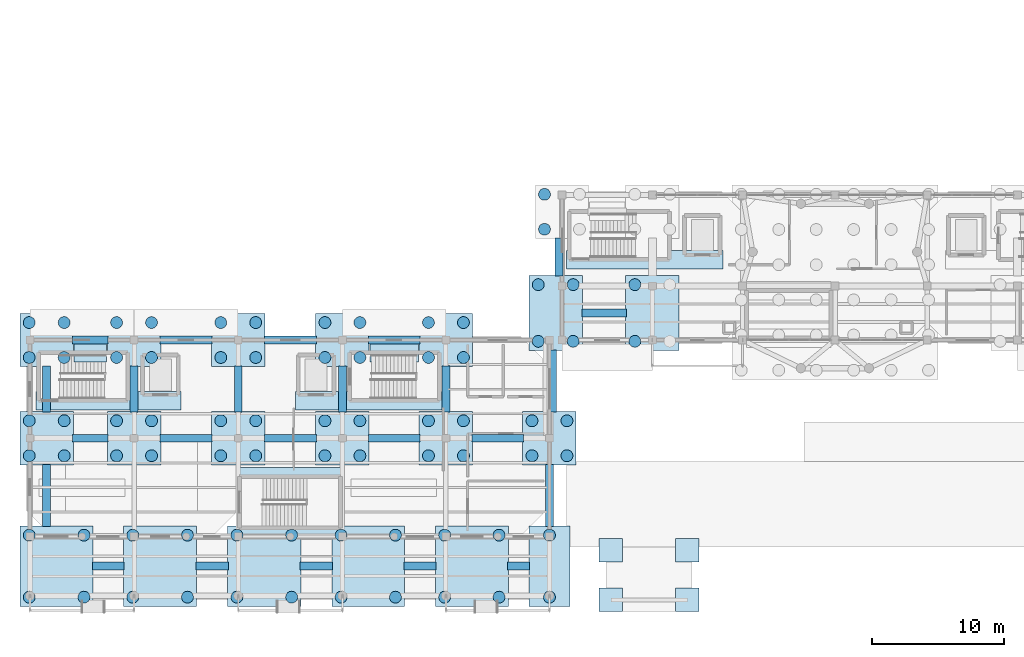
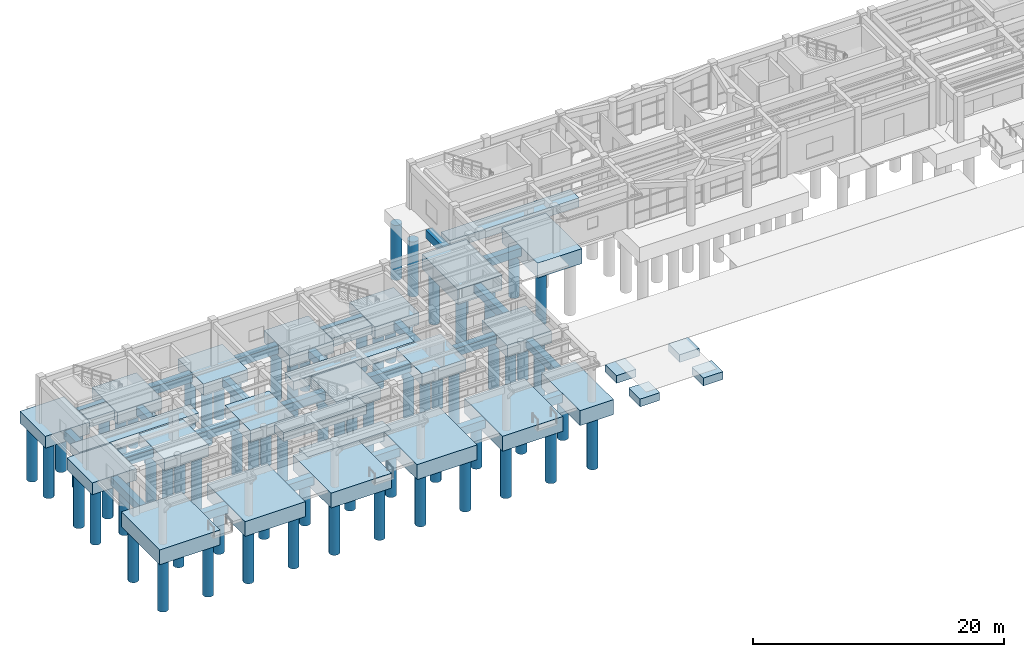
# One storey, part 1 of 41: 74 piles, 54 footings.
"""IFC4 building model written with IfcOpenShell, lengths in metres."""

from ifc_helpers import new_model, si_unit, direction, frame, origin, origin_2d, place, context, subcontext, project, spatial, rectangle, circle, extrude, material, material_profile, profile_set, type_object, element, save


model = new_model("IFC4")

# Units and contexts
model_context = context("Model", 3, precision=1e-05, world=origin(), true_north=direction((0.0, 1.0)))
body_context = subcontext(model_context, "Body", "Model", "MODEL_VIEW")
ifc_project = project(units=[si_unit("LENGTHUNIT", "METRE"), si_unit("AREAUNIT", "SQUARE_METRE"), si_unit("VOLUMEUNIT", "CUBIC_METRE"), si_unit("PLANEANGLEUNIT", "RADIAN"), si_unit("MASSUNIT", "GRAM", prefix="KILO")], contexts=[model_context])

# Site, building, storey
site_placement = place(None, origin())
site = spatial("IfcSite", under=ifc_project, at=site_placement, CompositionType="ELEMENT")
building_placement = place(site_placement, origin())
building = spatial("IfcBuilding", under=site, at=building_placement, Name="Candilejo Ridge Gondola Terminal", CompositionType="ELEMENT")
storey_placement = place(building_placement, origin())
storey = spatial("IfcBuildingStorey", under=building, at=storey_placement, Name="L00", CompositionType="ELEMENT", Elevation=0.0)

# Piles
ifc_material_1 = material(Name="Concrete f'c 28 MPa (C28/35)", Category="concrete")
ifc_material_profile = material_profile(ifc_material_1, circle(Radius=0.449951171875, at=origin_2d()))
ifc_profile_set = profile_set([ifc_material_profile], Name="Concrete f'c 28 MPa (C28/35)")
pile_type = type_object("IfcPileType", Name="STR-BORED-PILE-D900", PredefinedType="BORED", material=ifc_profile_set)
for number, where, z_axis, x_axis, name in (
    (1, (4.25, 6.199951171875, -1.35009765625), (0.0, 0.0, -1.0), (1.0, 0.0, 0.0), "Bored pile L00-001"),
    (2, (4.25, 10.89990234375, -1.35009765625), (0.0, 0.0, -1.0), (1.0, 0.0, 0.0), "Bored pile L00-002"),
    (3, (8.39990234375, 6.199951171875, -1.35009765625), (0.0, 0.0, -1.0), (1.0, 0.0, 0.0), "Bored pile L00-003"),
    (4, (8.39990234375, 10.89990234375, -1.35009765625), (0.0, 0.0, -1.0), (1.0, 0.0, 0.0), "Bored pile L00-004"),
):
    element("IfcPile", number, at=place(storey_placement, frame(where, z_axis=z_axis, x_axis=x_axis)), inside=storey, type_object=pile_type, Name=name, PredefinedType="BORED", context=body_context, shape_type="SweptSolid", body=[
        extrude(circle(Radius=0.449951171875, at=origin_2d()), origin(), (0.0, 0.0, 1.0), 5.050048828125),
    ])
for number, where, z_axis, x_axis, name in (
    (5, (4.25, 16.925048828125, -1.050048828125), (0.0, 0.0, -1.0), (1.0, 0.0, 0.0), "Bored pile L00-005"),
    (6, (4.25, 19.574951171875, -1.050048828125), (0.0, 0.0, -1.0), (1.0, 0.0, 0.0), "Bored pile L00-006"),
    (7, (6.89990234375, 16.925048828125, -1.050048828125), (0.0, 0.0, -1.0), (1.0, 0.0, 0.0), "Bored pile L00-007"),
    (8, (6.89990234375, 19.574951171875, -1.050048828125), (0.0, 0.0, -1.0), (1.0, 0.0, 0.0), "Bored pile L00-008"),
    (9, (4.25, 24.375, -1.050048828125), (0.0, 0.0, -1.0), (1.0, 0.0, 0.0), "Bored pile L00-009"),
    (10, (4.25, 27.02490234375, -1.050048828125), (0.0, 0.0, -1.0), (1.0, 0.0, 0.0), "Bored pile L00-010"),
    (11, (6.89990234375, 24.375, -1.050048828125), (0.0, 0.0, -1.0), (1.0, 0.0, 0.0), "Bored pile L00-011"),
    (12, (6.89990234375, 27.02490234375, -1.050048828125), (0.0, 0.0, -1.0), (1.0, 0.0, 0.0), "Bored pile L00-012"),
):
    element("IfcPile", number, at=place(storey_placement, frame(where, z_axis=z_axis, x_axis=x_axis)), inside=storey, type_object=pile_type, Name=name, PredefinedType="BORED", context=body_context, shape_type="SweptSolid", body=[
        extrude(circle(Radius=0.449951171875, at=origin_2d()), origin(), (0.0, 0.0, 1.0), 5.35009765625),
    ])
for number, where, z_axis, x_axis, name in (
    (13, (12.10009765625, 6.199951171875, -1.35009765625), (0.0, 0.0, -1.0), (1.0, 0.0, 0.0), "Bored pile L00-013"),
    (14, (12.10009765625, 10.89990234375, -1.35009765625), (0.0, 0.0, -1.0), (1.0, 0.0, 0.0), "Bored pile L00-014"),
    (15, (16.25, 6.199951171875, -1.35009765625), (0.0, 0.0, -1.0), (1.0, 0.0, 0.0), "Bored pile L00-015"),
    (16, (16.25, 10.89990234375, -1.35009765625), (0.0, 0.0, -1.0), (1.0, 0.0, 0.0), "Bored pile L00-016"),
):
    element("IfcPile", number, at=place(storey_placement, frame(where, z_axis=z_axis, x_axis=x_axis)), inside=storey, type_object=pile_type, Name=name, PredefinedType="BORED", context=body_context, shape_type="SweptSolid", body=[
        extrude(circle(Radius=0.449951171875, at=origin_2d()), origin(), (0.0, 0.0, 1.0), 5.050048828125),
    ])
for number, where, z_axis, x_axis, name in (
    (17, (10.875, 16.925048828125, -1.050048828125), (0.0, 0.0, -1.0), (1.0, 0.0, 0.0), "Bored pile L00-017"),
    (18, (10.875, 19.574951171875, -1.050048828125), (0.0, 0.0, -1.0), (1.0, 0.0, 0.0), "Bored pile L00-018"),
    (19, (13.52490234375, 16.925048828125, -1.050048828125), (0.0, 0.0, -1.0), (1.0, 0.0, 0.0), "Bored pile L00-019"),
    (20, (13.52490234375, 19.574951171875, -1.050048828125), (0.0, 0.0, -1.0), (1.0, 0.0, 0.0), "Bored pile L00-020"),
    (21, (10.875, 24.375, -1.050048828125), (0.0, 0.0, -1.0), (1.0, 0.0, 0.0), "Bored pile L00-021"),
    (22, (10.875, 27.02490234375, -1.050048828125), (0.0, 0.0, -1.0), (1.0, 0.0, 0.0), "Bored pile L00-022"),
    (23, (13.52490234375, 24.375, -1.050048828125), (0.0, 0.0, -1.0), (1.0, 0.0, 0.0), "Bored pile L00-023"),
    (24, (13.52490234375, 27.02490234375, -1.050048828125), (0.0, 0.0, -1.0), (1.0, 0.0, 0.0), "Bored pile L00-024"),
):
    element("IfcPile", number, at=place(storey_placement, frame(where, z_axis=z_axis, x_axis=x_axis)), inside=storey, type_object=pile_type, Name=name, PredefinedType="BORED", context=body_context, shape_type="SweptSolid", body=[
        extrude(circle(Radius=0.449951171875, at=origin_2d()), origin(), (0.0, 0.0, 1.0), 5.35009765625),
    ])
for number, where, z_axis, x_axis, name in (
    (25, (20.0, 6.199951171875, -1.35009765625), (0.0, 0.0, -1.0), (1.0, 0.0, 0.0), "Bored pile L00-025"),
    (26, (20.0, 10.89990234375, -1.35009765625), (0.0, 0.0, -1.0), (1.0, 0.0, 0.0), "Bored pile L00-026"),
    (27, (24.14990234375, 6.199951171875, -1.35009765625), (0.0, 0.0, -1.0), (1.0, 0.0, 0.0), "Bored pile L00-027"),
    (28, (24.14990234375, 10.89990234375, -1.35009765625), (0.0, 0.0, -1.0), (1.0, 0.0, 0.0), "Bored pile L00-028"),
):
    element("IfcPile", number, at=place(storey_placement, frame(where, z_axis=z_axis, x_axis=x_axis)), inside=storey, type_object=pile_type, Name=name, PredefinedType="BORED", context=body_context, shape_type="SweptSolid", body=[
        extrude(circle(Radius=0.449951171875, at=origin_2d()), origin(), (0.0, 0.0, 1.0), 5.050048828125),
    ])
for number, where, z_axis, x_axis, name in (
    (29, (18.77490234375, 16.925048828125, -1.050048828125), (0.0, 0.0, -1.0), (1.0, 0.0, 0.0), "Bored pile L00-029"),
    (30, (18.77490234375, 19.574951171875, -1.050048828125), (0.0, 0.0, -1.0), (1.0, 0.0, 0.0), "Bored pile L00-030"),
    (31, (21.425048828125, 16.925048828125, -1.050048828125), (0.0, 0.0, -1.0), (1.0, 0.0, 0.0), "Bored pile L00-031"),
    (32, (21.425048828125, 19.574951171875, -1.050048828125), (0.0, 0.0, -1.0), (1.0, 0.0, 0.0), "Bored pile L00-032"),
    (33, (18.77490234375, 24.375, -1.050048828125), (0.0, 0.0, -1.0), (1.0, 0.0, 0.0), "Bored pile L00-033"),
    (34, (18.77490234375, 27.02490234375, -1.050048828125), (0.0, 0.0, -1.0), (1.0, 0.0, 0.0), "Bored pile L00-034"),
    (35, (21.425048828125, 24.375, -1.050048828125), (0.0, 0.0, -1.0), (1.0, 0.0, 0.0), "Bored pile L00-035"),
    (36, (21.425048828125, 27.02490234375, -1.050048828125), (0.0, 0.0, -1.0), (1.0, 0.0, 0.0), "Bored pile L00-036"),
):
    element("IfcPile", number, at=place(storey_placement, frame(where, z_axis=z_axis, x_axis=x_axis)), inside=storey, type_object=pile_type, Name=name, PredefinedType="BORED", context=body_context, shape_type="SweptSolid", body=[
        extrude(circle(Radius=0.449951171875, at=origin_2d()), origin(), (0.0, 0.0, 1.0), 5.35009765625),
    ])
for number, where, z_axis, x_axis, name in (
    (37, (27.89990234375, 6.199951171875, -1.35009765625), (0.0, 0.0, -1.0), (1.0, 0.0, 0.0), "Bored pile L00-037"),
    (38, (27.89990234375, 10.89990234375, -1.35009765625), (0.0, 0.0, -1.0), (1.0, 0.0, 0.0), "Bored pile L00-038"),
    (39, (32.02001953125, 6.199951171875, -1.35009765625), (0.0, 0.0, -1.0), (1.0, 0.0, 0.0), "Bored pile L00-039"),
    (40, (32.02001953125, 10.89990234375, -1.35009765625), (0.0, 0.0, -1.0), (1.0, 0.0, 0.0), "Bored pile L00-040"),
):
    element("IfcPile", number, at=place(storey_placement, frame(where, z_axis=z_axis, x_axis=x_axis)), inside=storey, type_object=pile_type, Name=name, PredefinedType="BORED", context=body_context, shape_type="SweptSolid", body=[
        extrude(circle(Radius=0.449951171875, at=origin_2d()), origin(), (0.0, 0.0, 1.0), 5.050048828125),
    ])
for number, where, z_axis, x_axis, name in (
    (41, (26.675048828125, 16.925048828125, -1.050048828125), (0.0, 0.0, -1.0), (1.0, 0.0, 0.0), "Bored pile L00-041"),
    (42, (26.675048828125, 19.574951171875, -1.050048828125), (0.0, 0.0, -1.0), (1.0, 0.0, 0.0), "Bored pile L00-042"),
    (43, (29.324951171875, 16.925048828125, -1.050048828125), (0.0, 0.0, -1.0), (1.0, 0.0, 0.0), "Bored pile L00-043"),
    (44, (29.324951171875, 19.574951171875, -1.050048828125), (0.0, 0.0, -1.0), (1.0, 0.0, 0.0), "Bored pile L00-044"),
    (45, (26.675048828125, 24.375, -1.050048828125), (0.0, 0.0, -1.0), (1.0, 0.0, 0.0), "Bored pile L00-045"),
    (46, (26.675048828125, 27.02490234375, -1.050048828125), (0.0, 0.0, -1.0), (1.0, 0.0, 0.0), "Bored pile L00-046"),
    (47, (29.324951171875, 24.375, -1.050048828125), (0.0, 0.0, -1.0), (1.0, 0.0, 0.0), "Bored pile L00-047"),
    (48, (29.324951171875, 27.02490234375, -1.050048828125), (0.0, 0.0, -1.0), (1.0, 0.0, 0.0), "Bored pile L00-048"),
):
    element("IfcPile", number, at=place(storey_placement, frame(where, z_axis=z_axis, x_axis=x_axis)), inside=storey, type_object=pile_type, Name=name, PredefinedType="BORED", context=body_context, shape_type="SweptSolid", body=[
        extrude(circle(Radius=0.449951171875, at=origin_2d()), origin(), (0.0, 0.0, 1.0), 5.35009765625),
    ])
for number, where, z_axis, x_axis, name in (
    (49, (35.75, 6.199951171875, -1.35009765625), (0.0, 0.0, -1.0), (1.0, 0.0, 0.0), "Bored pile L00-049"),
    (50, (35.75, 10.89990234375, -1.35009765625), (0.0, 0.0, -1.0), (1.0, 0.0, 0.0), "Bored pile L00-050"),
    (51, (39.8798828125, 6.199951171875, -1.35009765625), (0.0, 0.0, -1.0), (1.0, 0.0, 0.0), "Bored pile L00-051"),
    (52, (39.8798828125, 10.89990234375, -1.35009765625), (0.0, 0.0, -1.0), (1.0, 0.0, 0.0), "Bored pile L00-052"),
):
    element("IfcPile", number, at=place(storey_placement, frame(where, z_axis=z_axis, x_axis=x_axis)), inside=storey, type_object=pile_type, Name=name, PredefinedType="BORED", context=body_context, shape_type="SweptSolid", body=[
        extrude(circle(Radius=0.449951171875, at=origin_2d()), origin(), (0.0, 0.0, 1.0), 5.050048828125),
    ])
for number, where, z_axis, x_axis, name in (
    (53, (34.52490234375, 16.925048828125, -1.050048828125), (0.0, 0.0, -1.0), (1.0, 0.0, 0.0), "Bored pile L00-053"),
    (54, (34.52490234375, 19.574951171875, -1.050048828125), (0.0, 0.0, -1.0), (1.0, 0.0, 0.0), "Bored pile L00-054"),
    (55, (37.175048828125, 16.925048828125, -1.050048828125), (0.0, 0.0, -1.0), (1.0, 0.0, 0.0), "Bored pile L00-055"),
    (56, (37.175048828125, 19.574951171875, -1.050048828125), (0.0, 0.0, -1.0), (1.0, 0.0, 0.0), "Bored pile L00-056"),
    (57, (34.52490234375, 24.375, -1.050048828125), (0.0, 0.0, -1.0), (1.0, 0.0, 0.0), "Bored pile L00-057"),
    (58, (34.52490234375, 27.02490234375, -1.050048828125), (0.0, 0.0, -1.0), (1.0, 0.0, 0.0), "Bored pile L00-058"),
    (59, (37.175048828125, 24.375, -1.050048828125), (0.0, 0.0, -1.0), (1.0, 0.0, 0.0), "Bored pile L00-059"),
    (60, (37.175048828125, 27.02490234375, -1.050048828125), (0.0, 0.0, -1.0), (1.0, 0.0, 0.0), "Bored pile L00-060"),
):
    element("IfcPile", number, at=place(storey_placement, frame(where, z_axis=z_axis, x_axis=x_axis)), inside=storey, type_object=pile_type, Name=name, PredefinedType="BORED", context=body_context, shape_type="SweptSolid", body=[
        extrude(circle(Radius=0.449951171875, at=origin_2d()), origin(), (0.0, 0.0, 1.0), 5.35009765625),
    ])
for number, where, z_axis, x_axis, name in (
    (61, (43.699951171875, 6.199951171875, -1.35009765625), (0.0, 0.0, -1.0), (1.0, 0.0, 0.0), "Bored pile L00-061"),
    (62, (43.699951171875, 10.89990234375, -1.35009765625), (0.0, 0.0, -1.0), (1.0, 0.0, 0.0), "Bored pile L00-062"),
):
    element("IfcPile", number, at=place(storey_placement, frame(where, z_axis=z_axis, x_axis=x_axis)), inside=storey, type_object=pile_type, Name=name, PredefinedType="BORED", context=body_context, shape_type="SweptSolid", body=[
        extrude(circle(Radius=0.449951171875, at=origin_2d()), origin(), (0.0, 0.0, 1.0), 5.050048828125),
    ])
for number, where, z_axis, x_axis, name in (
    (63, (42.375, 16.925048828125, -1.050048828125), (0.0, 0.0, -1.0), (1.0, 0.0, 0.0), "Bored pile L00-063"),
    (64, (42.375, 19.574951171875, -1.050048828125), (0.0, 0.0, -1.0), (1.0, 0.0, 0.0), "Bored pile L00-064"),
    (65, (45.02490234375, 16.925048828125, -1.050048828125), (0.0, 0.0, -1.0), (1.0, 0.0, 0.0), "Bored pile L00-065"),
    (66, (45.02490234375, 19.574951171875, -1.050048828125), (0.0, 0.0, -1.0), (1.0, 0.0, 0.0), "Bored pile L00-066"),
):
    element("IfcPile", number, at=place(storey_placement, frame(where, z_axis=z_axis, x_axis=x_axis)), inside=storey, type_object=pile_type, Name=name, PredefinedType="BORED", context=body_context, shape_type="SweptSolid", body=[
        extrude(circle(Radius=0.449951171875, at=origin_2d()), origin(), (0.0, 0.0, 1.0), 5.35009765625),
    ])
for number, where, z_axis, x_axis, name in (
    (67, (42.85009765625, 25.60009765625, -1.35009765625), (0.0, 0.0, -1.0), (1.0, 0.0, 0.0), "Bored pile L00-067"),
    (68, (42.85009765625, 29.89990234375, -1.35009765625), (0.0, 0.0, -1.0), (1.0, 0.0, 0.0), "Bored pile L00-068"),
    (69, (45.5, 25.60009765625, -1.35009765625), (0.0, 0.0, -1.0), (1.0, 0.0, 0.0), "Bored pile L00-069"),
    (70, (45.5, 29.89990234375, -1.35009765625), (0.0, 0.0, -1.0), (1.0, 0.0, 0.0), "Bored pile L00-070"),
):
    element("IfcPile", number, at=place(storey_placement, frame(where, z_axis=z_axis, x_axis=x_axis)), inside=storey, type_object=pile_type, Name=name, PredefinedType="BORED", context=body_context, shape_type="SweptSolid", body=[
        extrude(circle(Radius=0.449951171875, at=origin_2d()), origin(), (0.0, 0.0, 1.0), 5.050048828125),
    ])
for number, where, z_axis, x_axis, name in (
    (71, (43.324951171875, 34.10009765625, -1.050048828125), (0.0, 0.0, -1.0), (1.0, 0.0, 0.0), "Bored pile L00-071"),
    (72, (43.324951171875, 36.75, -1.050048828125), (0.0, 0.0, -1.0), (1.0, 0.0, 0.0), "Bored pile L00-072"),
):
    element("IfcPile", number, at=place(storey_placement, frame(where, z_axis=z_axis, x_axis=x_axis)), inside=storey, type_object=pile_type, Name=name, PredefinedType="BORED", context=body_context, shape_type="SweptSolid", body=[
        extrude(circle(Radius=0.449951171875, at=origin_2d()), origin(), (0.0, 0.0, 1.0), 5.35009765625),
    ])
for number, where, z_axis, x_axis, name in (
    (73, (50.175048828125, 25.60009765625, -1.35009765625), (0.0, 0.0, -1.0), (1.0, 0.0, 0.0), "Bored pile L00-075"),
    (74, (50.175048828125, 29.89990234375, -1.35009765625), (0.0, 0.0, -1.0), (1.0, 0.0, 0.0), "Bored pile L00-076"),
):
    element("IfcPile", number, at=place(storey_placement, frame(where, z_axis=z_axis, x_axis=x_axis)), inside=storey, type_object=pile_type, Name=name, PredefinedType="BORED", context=body_context, shape_type="SweptSolid", body=[
        extrude(circle(Radius=0.449951171875, at=origin_2d()), origin(), (0.0, 0.0, 1.0), 5.050048828125),
    ])

# Footings
ifc_material_2 = material(Name="Concrete f'c 35 MPa (C35/45)", Category="concrete")
footing_type_1 = type_object("IfcFootingType", Name="STR-FOOTING-BEAM-600X800", PredefinedType="FOOTING_BEAM", material=ifc_material_2)
footing_1_placement = place(storey_placement, frame((10.25, 8.550048828125, -0.85009765625), z_axis=(0.0, 0.0, 1.0), x_axis=(1.0, 0.0, 0.0)))
element("IfcFooting", 75, at=footing_1_placement, inside=storey, type_object=footing_type_1, Name="Foundation tie beam X L00-001", PredefinedType="FOOTING_BEAM", context=body_context, shape_type="SweptSolid", body=[
    extrude(rectangle(XDim=2.39990234375, YDim=0.60009765625, at=origin_2d()), origin(), (0.0, 0.0, 1.0), 0.800048828125),
])
for number, where, z_axis, x_axis, name in (
    (76, (18.125, 8.550048828125, -0.85009765625), (0.0, 0.0, 1.0), (1.0, 0.0, 0.0), "Foundation tie beam X L00-002"),
    (77, (26.02490234375, 8.550048828125, -0.85009765625), (0.0, 0.0, 1.0), (1.0, 0.0, 0.0), "Foundation tie beam X L00-003"),
):
    element("IfcFooting", number, at=place(storey_placement, frame(where, z_axis=z_axis, x_axis=x_axis)), inside=storey, type_object=footing_type_1, Name=name, PredefinedType="FOOTING_BEAM", context=body_context, shape_type="SweptSolid", body=[
        extrude(rectangle(XDim=2.449951171875, YDim=0.60009765625, at=origin_2d()), origin(), (0.0, 0.0, 1.0), 0.800048828125),
    ])
footing_2_placement = place(storey_placement, frame((33.885009765625, 8.550048828125, -0.85009765625), z_axis=(0.0, 0.0, 1.0), x_axis=(1.0, 0.0, 0.0)))
element("IfcFooting", 78, at=footing_2_placement, inside=storey, type_object=footing_type_1, Name="Foundation tie beam X L00-004", PredefinedType="FOOTING_BEAM", context=body_context, shape_type="SweptSolid", body=[
    extrude(rectangle(XDim=2.429931640625, YDim=0.60009765625, at=origin_2d()), origin(), (0.0, 0.0, 1.0), 0.800048828125),
])
footing_3_placement = place(storey_placement, frame((41.364990234375, 8.550048828125, -0.85009765625), z_axis=(0.0, 0.0, 1.0), x_axis=(1.0, 0.0, 0.0)))
element("IfcFooting", 79, at=footing_3_placement, inside=storey, type_object=footing_type_1, Name="Foundation tie beam X L00-005", PredefinedType="FOOTING_BEAM", context=body_context, shape_type="SweptSolid", body=[
    extrude(rectangle(XDim=1.669921875, YDim=0.60009765625, at=origin_2d()), origin(), (0.0, 0.0, 1.0), 0.800048828125),
])
footing_4_placement = place(storey_placement, frame((8.887451171875, 18.25, -0.85009765625), z_axis=(0.0, 0.0, 1.0), x_axis=(1.0, 0.0, 0.0)))
element("IfcFooting", 80, at=footing_4_placement, inside=storey, type_object=footing_type_1, Name="Foundation tie beam X L00-009", PredefinedType="FOOTING_BEAM", context=body_context, shape_type="SweptSolid", body=[
    extrude(rectangle(XDim=2.675048828125, YDim=0.60009765625, at=origin_2d()), origin(), (0.0, 0.0, 1.0), 0.800048828125),
])
for number, where, z_axis, x_axis, name in (
    (81, (16.14990234375, 18.25, -0.85009765625), (0.0, 0.0, 1.0), (1.0, 0.0, 0.0), "Foundation tie beam X L00-010"),
    (82, (24.050048828125, 18.25, -0.85009765625), (0.0, 0.0, 1.0), (1.0, 0.0, 0.0), "Foundation tie beam X L00-011"),
):
    element("IfcFooting", number, at=place(storey_placement, frame(where, z_axis=z_axis, x_axis=x_axis)), inside=storey, type_object=footing_type_1, Name=name, PredefinedType="FOOTING_BEAM", context=body_context, shape_type="SweptSolid", body=[
        extrude(rectangle(XDim=3.949951171875, YDim=0.60009765625, at=origin_2d()), origin(), (0.0, 0.0, 1.0), 0.800048828125),
    ])
for number, where, z_axis, x_axis, name in (
    (83, (31.925048828125, 18.25, -0.85009765625), (0.0, 0.0, 1.0), (1.0, 0.0, 0.0), "Foundation tie beam X L00-012"),
    (84, (39.77490234375, 18.25, -0.85009765625), (0.0, 0.0, 1.0), (1.0, 0.0, 0.0), "Foundation tie beam X L00-013"),
):
    element("IfcFooting", number, at=place(storey_placement, frame(where, z_axis=z_axis, x_axis=x_axis)), inside=storey, type_object=footing_type_1, Name=name, PredefinedType="FOOTING_BEAM", context=body_context, shape_type="SweptSolid", body=[
        extrude(rectangle(XDim=3.89990234375, YDim=0.60009765625, at=origin_2d()), origin(), (0.0, 0.0, 1.0), 0.800048828125),
    ])
footing_5_placement = place(storey_placement, frame((8.887451171875, 25.699951171875, -0.85009765625), z_axis=(0.0, 0.0, 1.0), x_axis=(1.0, 0.0, 0.0)))
element("IfcFooting", 85, at=footing_5_placement, inside=storey, type_object=footing_type_1, Name="Foundation tie beam X L00-017", PredefinedType="FOOTING_BEAM", context=body_context, shape_type="SweptSolid", body=[
    extrude(rectangle(XDim=2.675048828125, YDim=0.60009765625, at=origin_2d()), origin(), (0.0, 0.0, 1.0), 0.800048828125),
])
for number, where, z_axis, x_axis, name in (
    (86, (16.14990234375, 25.699951171875, -0.85009765625), (0.0, 0.0, 1.0), (1.0, 0.0, 0.0), "Foundation tie beam X L00-018"),
    (87, (24.050048828125, 25.699951171875, -0.85009765625), (0.0, 0.0, 1.0), (1.0, 0.0, 0.0), "Foundation tie beam X L00-019"),
):
    element("IfcFooting", number, at=place(storey_placement, frame(where, z_axis=z_axis, x_axis=x_axis)), inside=storey, type_object=footing_type_1, Name=name, PredefinedType="FOOTING_BEAM", context=body_context, shape_type="SweptSolid", body=[
        extrude(rectangle(XDim=3.949951171875, YDim=0.60009765625, at=origin_2d()), origin(), (0.0, 0.0, 1.0), 0.800048828125),
    ])
footing_6_placement = place(storey_placement, frame((31.925048828125, 25.699951171875, -0.85009765625), z_axis=(0.0, 0.0, 1.0), x_axis=(1.0, 0.0, 0.0)))
element("IfcFooting", 88, at=footing_6_placement, inside=storey, type_object=footing_type_1, Name="Foundation tie beam X L00-020", PredefinedType="FOOTING_BEAM", context=body_context, shape_type="SweptSolid", body=[
    extrude(rectangle(XDim=3.89990234375, YDim=0.60009765625, at=origin_2d()), origin(), (0.0, 0.0, 1.0), 0.800048828125),
])
footing_7_placement = place(storey_placement, frame((47.83740234375, 27.75, -0.85009765625), z_axis=(0.0, 0.0, 1.0), x_axis=(1.0, 0.0, 0.0)))
element("IfcFooting", 89, at=footing_7_placement, inside=storey, type_object=footing_type_1, Name="Foundation tie beam X L00-027", PredefinedType="FOOTING_BEAM", context=body_context, shape_type="SweptSolid", body=[
    extrude(rectangle(XDim=3.375, YDim=0.60009765625, at=origin_2d()), origin(), (0.0, 0.0, 1.0), 0.800048828125),
])
footing_8_placement = place(storey_placement, frame((5.574951171875, 13.91259765625, -0.85009765625), z_axis=(0.0, 0.0, 1.0), x_axis=(1.0, 0.0, 0.0)))
element("IfcFooting", 90, at=footing_8_placement, inside=storey, type_object=footing_type_1, Name="Foundation tie beam Y L00-040", PredefinedType="FOOTING_BEAM", context=body_context, shape_type="SweptSolid", body=[
    extrude(rectangle(XDim=0.60009765625, YDim=4.72509765625, at=origin_2d()), origin(), (0.0, 0.0, 1.0), 0.800048828125),
])
for number, where, z_axis, x_axis, name in (
    (91, (5.574951171875, 21.97509765625, -0.85009765625), (0.0, 0.0, 1.0), (1.0, 0.0, 0.0), "Foundation tie beam Y L00-041"),
    (92, (12.199951171875, 21.97509765625, -0.85009765625), (0.0, 0.0, 1.0), (1.0, 0.0, 0.0), "Foundation tie beam Y L00-042"),
    (93, (20.10009765625, 21.97509765625, -0.85009765625), (0.0, 0.0, 1.0), (1.0, 0.0, 0.0), "Foundation tie beam Y L00-043"),
    (94, (28.0, 21.97509765625, -0.85009765625), (0.0, 0.0, 1.0), (1.0, 0.0, 0.0), "Foundation tie beam Y L00-044"),
    (95, (35.85009765625, 21.97509765625, -0.85009765625), (0.0, 0.0, 1.0), (1.0, 0.0, 0.0), "Foundation tie beam Y L00-045"),
):
    element("IfcFooting", number, at=place(storey_placement, frame(where, z_axis=z_axis, x_axis=x_axis)), inside=storey, type_object=footing_type_1, Name=name, PredefinedType="FOOTING_BEAM", context=body_context, shape_type="SweptSolid", body=[
        extrude(rectangle(XDim=0.60009765625, YDim=3.5, at=origin_2d()), origin(), (0.0, 0.0, 1.0), 0.800048828125),
    ])
for number, where, z_axis, x_axis, name in (
    (96, (43.699951171875, 13.91259765625, -0.85009765625), (0.0, 0.0, 1.0), (1.0, 0.0, 0.0), "Foundation tie beam Y L00-046"),
    (97, (43.9375, 22.58740234375, -0.85009765625), (0.0, 0.0, 1.0), (1.0, 0.0, 0.0), "Foundation tie beam Y L00-047"),
):
    element("IfcFooting", number, at=place(storey_placement, frame(where, z_axis=z_axis, x_axis=x_axis)), inside=storey, type_object=footing_type_1, Name=name, PredefinedType="FOOTING_BEAM", context=body_context, shape_type="SweptSolid", body=[
        extrude(rectangle(XDim=0.60009765625, YDim=4.72509765625, at=origin_2d()), origin(), (0.0, 0.0, 1.0), 0.800048828125),
    ])
footing_9_placement = place(storey_placement, frame((44.41259765625, 32.0, -0.85009765625), z_axis=(0.0, 0.0, 1.0), x_axis=(1.0, 0.0, 0.0)))
element("IfcFooting", 98, at=footing_9_placement, inside=storey, type_object=footing_type_1, Name="Foundation tie beam Y L00-048", PredefinedType="FOOTING_BEAM", context=body_context, shape_type="SweptSolid", body=[
    extrude(rectangle(XDim=0.60009765625, YDim=2.89990234375, at=origin_2d()), origin(), (0.0, 0.0, 1.0), 0.800048828125),
])
ifc_material_3 = material(Name="Concrete f'c 35 MPa (C35/45)", Category="concrete")
footing_type_2 = type_object("IfcFootingType", Name="STR-PAD-FOOTING-1800X1800X750", PredefinedType="PAD_FOOTING", material=ifc_material_3)
for number, where, z_axis, x_axis, name in (
    (99, (48.35009765625, 6.0, -1.22998046875), (0.0, 0.0, 1.0), (1.0, 0.0, 0.0), "Walkway support pad footing SW-TAB-01"),
    (100, (54.14990234375, 6.0, -1.22998046875), (0.0, 0.0, 1.0), (1.0, 0.0, 0.0), "Walkway support pad footing SW-TAB-02"),
    (101, (48.35009765625, 9.75, -1.22998046875), (0.0, 0.0, 1.0), (1.0, 0.0, 0.0), "Walkway support pad footing SW-TAB-03"),
    (102, (54.14990234375, 9.75, -1.22998046875), (0.0, 0.0, 1.0), (1.0, 0.0, 0.0), "Walkway support pad footing SW-TAB-04"),
):
    element("IfcFooting", number, at=place(storey_placement, frame(where, z_axis=z_axis, x_axis=x_axis)), inside=storey, type_object=footing_type_2, Name=name, PredefinedType="PAD_FOOTING", context=body_context, shape_type="SweptSolid", body=[
        extrude(rectangle(XDim=1.800048828125, YDim=1.800048828125, at=origin_2d()), origin(), (0.0, 0.0, 1.0), 0.75),
    ])
ifc_material_4 = material(Name="Concrete f'c 35 MPa (C35/45)", Category="concrete")
footing_type_3 = type_object("IfcFootingType", Name="STR-PILE-CAP-B00-310X610X145", PredefinedType="PILE_CAP", material=ifc_material_4)
footing_10_placement = place(storey_placement, frame((43.699951171875, 8.550048828125, -1.4501953125), z_axis=(0.0, 0.0, 1.0), x_axis=(1.0, 0.0, 0.0)))
element("IfcFooting", 103, at=footing_10_placement, inside=storey, type_object=footing_type_3, Name="Pile cap CAP-B00-016", PredefinedType="PILE_CAP", context=body_context, shape_type="SweptSolid", body=[
    extrude(rectangle(XDim=3.10009765625, YDim=6.10009765625, at=origin_2d()), origin(), (0.0, 0.0, 1.0), 1.449951171875),
])
ifc_material_5 = material(Name="Concrete f'c 35 MPa (C35/45)", Category="concrete")
footing_type_4 = type_object("IfcFootingType", Name="STR-PILE-CAP-B00-405X405X115", PredefinedType="PILE_CAP", material=ifc_material_5)
for number, where, z_axis, x_axis, name in (
    (104, (5.574951171875, 18.25, -1.14990234375), (0.0, 0.0, 1.0), (1.0, 0.0, 0.0), "Pile cap CAP-B00-002"),
    (105, (5.574951171875, 25.699951171875, -1.14990234375), (0.0, 0.0, 1.0), (1.0, 0.0, 0.0), "Pile cap CAP-B00-003"),
    (106, (12.199951171875, 18.25, -1.14990234375), (0.0, 0.0, 1.0), (1.0, 0.0, 0.0), "Pile cap CAP-B00-005"),
    (107, (12.199951171875, 25.699951171875, -1.14990234375), (0.0, 0.0, 1.0), (1.0, 0.0, 0.0), "Pile cap CAP-B00-006"),
    (108, (20.10009765625, 18.25, -1.14990234375), (0.0, 0.0, 1.0), (1.0, 0.0, 0.0), "Pile cap CAP-B00-008"),
    (109, (20.10009765625, 25.699951171875, -1.14990234375), (0.0, 0.0, 1.0), (1.0, 0.0, 0.0), "Pile cap CAP-B00-009"),
    (110, (28.0, 18.25, -1.14990234375), (0.0, 0.0, 1.0), (1.0, 0.0, 0.0), "Pile cap CAP-B00-011"),
    (111, (28.0, 25.699951171875, -1.14990234375), (0.0, 0.0, 1.0), (1.0, 0.0, 0.0), "Pile cap CAP-B00-012"),
    (112, (35.85009765625, 18.25, -1.14990234375), (0.0, 0.0, 1.0), (1.0, 0.0, 0.0), "Pile cap CAP-B00-014"),
    (113, (35.85009765625, 25.699951171875, -1.14990234375), (0.0, 0.0, 1.0), (1.0, 0.0, 0.0), "Pile cap CAP-B00-015"),
    (114, (43.699951171875, 18.25, -1.14990234375), (0.0, 0.0, 1.0), (1.0, 0.0, 0.0), "Pile cap CAP-B00-017"),
):
    element("IfcFooting", number, at=place(storey_placement, frame(where, z_axis=z_axis, x_axis=x_axis)), inside=storey, type_object=footing_type_4, Name=name, PredefinedType="PILE_CAP", context=body_context, shape_type="SweptSolid", body=[
        extrude(rectangle(XDim=4.050048828125, YDim=4.050048828125, at=origin_2d()), origin(), (0.0, 0.0, 1.0), 1.14990234375),
    ])
ifc_material_6 = material(Name="Concrete f'c 35 MPa (C35/45)", Category="concrete")
footing_type_5 = type_object("IfcFootingType", Name="STR-PILE-CAP-B00-405X570X145", PredefinedType="PILE_CAP", material=ifc_material_6)
for number, where, z_axis, x_axis, name in (
    (115, (44.175048828125, 27.75, -1.4501953125), (0.0, 0.0, 1.0), (1.0, 0.0, 0.0), "Pile cap CAP-B00-018"),
    (116, (51.5, 27.75, -1.4501953125), (0.0, 0.0, 1.0), (1.0, 0.0, 0.0), "Pile cap CAP-B00-020"),
):
    element("IfcFooting", number, at=place(storey_placement, frame(where, z_axis=z_axis, x_axis=x_axis)), inside=storey, type_object=footing_type_5, Name=name, PredefinedType="PILE_CAP", context=body_context, shape_type="SweptSolid", body=[
        extrude(rectangle(XDim=4.050048828125, YDim=5.699951171875, at=origin_2d()), origin(), (0.0, 0.0, 1.0), 1.449951171875),
    ])
ifc_material_7 = material(Name="Concrete f'c 35 MPa (C35/45)", Category="concrete")
footing_type_6 = type_object("IfcFootingType", Name="STR-PILE-CAP-B00-552X610X145", PredefinedType="PILE_CAP", material=ifc_material_7)
footing_11_placement = place(storey_placement, frame((29.9599609375, 8.550048828125, -1.4501953125), z_axis=(0.0, 0.0, 1.0), x_axis=(1.0, 0.0, 0.0)))
element("IfcFooting", 117, at=footing_11_placement, inside=storey, type_object=footing_type_6, Name="Pile cap CAP-B00-010", PredefinedType="PILE_CAP", context=body_context, shape_type="SweptSolid", body=[
    extrude(rectangle(XDim=5.52001953125, YDim=6.10009765625, at=origin_2d()), origin(), (0.0, 0.0, 1.0), 1.449951171875),
])
ifc_material_8 = material(Name="Concrete f'c 35 MPa (C35/45)", Category="concrete")
footing_type_7 = type_object("IfcFootingType", Name="STR-PILE-CAP-B00-553X610X145", PredefinedType="PILE_CAP", material=ifc_material_8)
footing_12_placement = place(storey_placement, frame((37.81494140625, 8.550048828125, -1.4501953125), z_axis=(0.0, 0.0, 1.0), x_axis=(1.0, 0.0, 0.0)))
element("IfcFooting", 118, at=footing_12_placement, inside=storey, type_object=footing_type_7, Name="Pile cap CAP-B00-013", PredefinedType="PILE_CAP", context=body_context, shape_type="SweptSolid", body=[
    extrude(rectangle(XDim=5.530029296875, YDim=6.10009765625, at=origin_2d()), origin(), (0.0, 0.0, 1.0), 1.449951171875),
])
ifc_material_9 = material(Name="Concrete f'c 35 MPa (C35/45)", Category="concrete")
footing_type_8 = type_object("IfcFootingType", Name="STR-PILE-CAP-B00-555X610X145", PredefinedType="PILE_CAP", material=ifc_material_9)
for number, where, z_axis, x_axis, name in (
    (119, (6.324951171875, 8.550048828125, -1.4501953125), (0.0, 0.0, 1.0), (1.0, 0.0, 0.0), "Pile cap CAP-B00-001"),
    (120, (14.175048828125, 8.550048828125, -1.4501953125), (0.0, 0.0, 1.0), (1.0, 0.0, 0.0), "Pile cap CAP-B00-004"),
    (121, (22.074951171875, 8.550048828125, -1.4501953125), (0.0, 0.0, 1.0), (1.0, 0.0, 0.0), "Pile cap CAP-B00-007"),
):
    element("IfcFooting", number, at=place(storey_placement, frame(where, z_axis=z_axis, x_axis=x_axis)), inside=storey, type_object=footing_type_8, Name=name, PredefinedType="PILE_CAP", context=body_context, shape_type="SweptSolid", body=[
        extrude(rectangle(XDim=5.550048828125, YDim=6.10009765625, at=origin_2d()), origin(), (0.0, 0.0, 1.0), 1.449951171875),
    ])
ifc_material_10 = material(Name="Concrete f'c 35 MPa (C35/45)", Category="concrete")
footing_type_9 = type_object("IfcFootingType", Name="STR-STRIP-FOOTING-1400X850", PredefinedType="STRIP_FOOTING", material=ifc_material_10)
footing_13_placement = place(storey_placement, frame((10.25, 21.10009765625, -0.85009765625), z_axis=(0.0, 0.0, 1.0), x_axis=(1.0, 0.0, 0.0)))
element("IfcFooting", 122, at=footing_13_placement, inside=storey, type_object=footing_type_9, Name="Core strip footing L00-001", PredefinedType="STRIP_FOOTING", context=body_context, shape_type="SweptSolid", body=[
    extrude(rectangle(XDim=11.0, YDim=1.39990234375, at=origin_2d()), origin(), (0.0, 0.0, 1.0), 0.85009765625),
])
footing_14_placement = place(storey_placement, frame((8.887451171875, 24.75, -0.85009765625), z_axis=(0.0, 0.0, 1.0), x_axis=(1.0, 0.0, 0.0)))
element("IfcFooting", 123, at=footing_14_placement, inside=storey, type_object=footing_type_9, Name="Core strip footing L00-002", PredefinedType="STRIP_FOOTING", context=body_context, shape_type="SweptSolid", body=[
    extrude(rectangle(XDim=2.455078125, YDim=1.39990234375, at=origin_2d()), origin(), (0.0, 0.0, 1.0), 0.85009765625),
])
footing_15_placement = place(storey_placement, frame((30.0, 21.10009765625, -0.85009765625), z_axis=(0.0, 0.0, 1.0), x_axis=(1.0, 0.0, 0.0)))
element("IfcFooting", 124, at=footing_15_placement, inside=storey, type_object=footing_type_9, Name="Core strip footing L00-003", PredefinedType="STRIP_FOOTING", context=body_context, shape_type="SweptSolid", body=[
    extrude(rectangle(XDim=11.10009765625, YDim=1.39990234375, at=origin_2d()), origin(), (0.0, 0.0, 1.0), 0.85009765625),
])
footing_16_placement = place(storey_placement, frame((31.925048828125, 24.75, -0.85009765625), z_axis=(0.0, 0.0, 1.0), x_axis=(1.0, 0.0, 0.0)))
element("IfcFooting", 125, at=footing_16_placement, inside=storey, type_object=footing_type_9, Name="Core strip footing L00-004", PredefinedType="STRIP_FOOTING", context=body_context, shape_type="SweptSolid", body=[
    extrude(rectangle(XDim=3.679931640625, YDim=1.39990234375, at=origin_2d()), origin(), (0.0, 0.0, 1.0), 0.85009765625),
])
footing_17_placement = place(storey_placement, frame((50.925048828125, 31.800048828125, -0.85009765625), z_axis=(0.0, 0.0, 1.0), x_axis=(1.0, 0.0, 0.0)))
element("IfcFooting", 126, at=footing_17_placement, inside=storey, type_object=footing_type_9, Name="Core strip footing L00-005", PredefinedType="STRIP_FOOTING", context=body_context, shape_type="SweptSolid", body=[
    extrude(rectangle(XDim=11.85009765625, YDim=1.39990234375, at=origin_2d()), origin(), (0.0, 0.0, 1.0), 0.85009765625),
])
for number, where, z_axis, x_axis, name in (
    (127, (24.02490234375, 11.449951171875, -0.85009765625), (0.0, 0.0, 1.0), (1.0, 0.0, 0.0), "Public stair footing ST-P01-S"),
    (128, (24.02490234375, 15.35009765625, -0.85009765625), (0.0, 0.0, 1.0), (1.0, 0.0, 0.0), "Public stair footing ST-P01-N"),
):
    element("IfcFooting", number, at=place(storey_placement, frame(where, z_axis=z_axis, x_axis=x_axis)), inside=storey, type_object=footing_type_9, Name=name, PredefinedType="STRIP_FOOTING", context=body_context, shape_type="SweptSolid", body=[
        extrude(rectangle(XDim=7.64990234375, YDim=1.39990234375, at=origin_2d()), origin(), (0.0, 0.0, 1.0), 0.85009765625),
    ])

save(model, "model.ifc")
